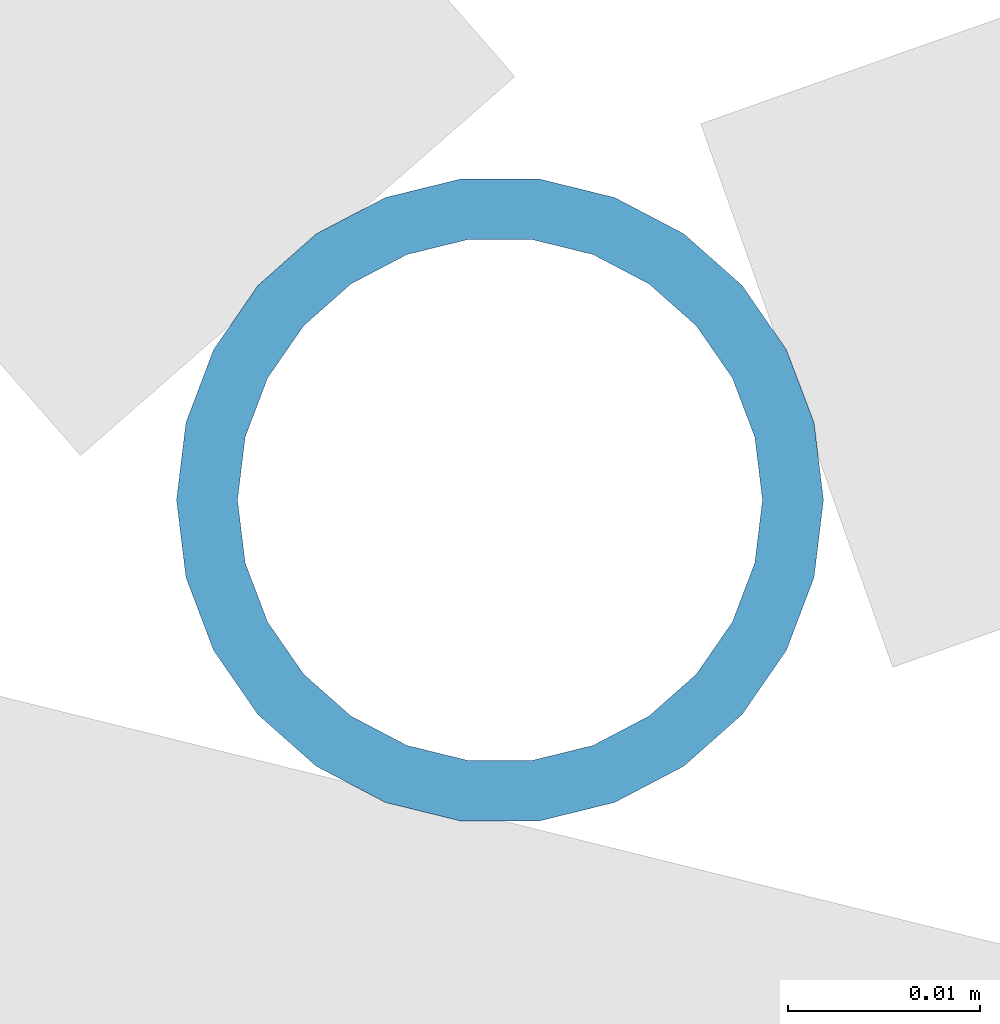
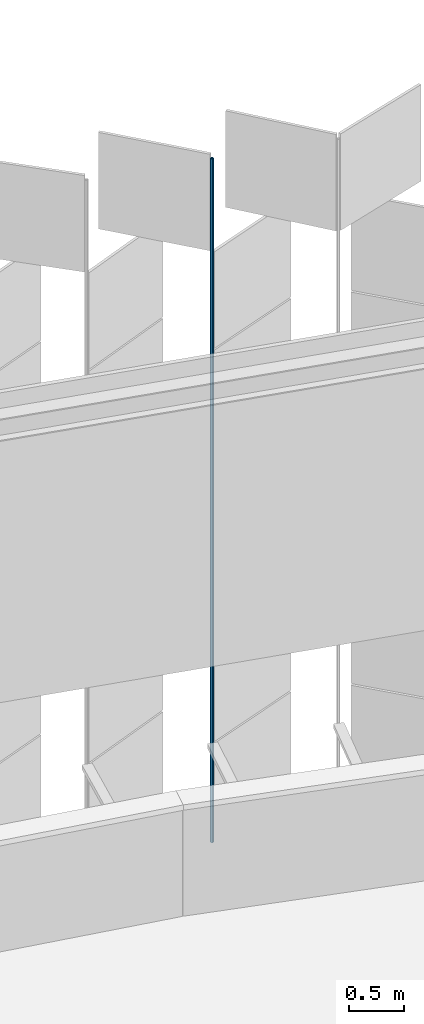
# One storey, part 404 of 483: 1 discrete accessory.
"""IFC4 building model written with IfcOpenShell, lengths in metres."""

from ifc_helpers import new_model, si_unit, direction, frame, origin, origin_2d, place, context, subcontext, project, spatial, hollow_circle, extrude, material, material_profile, profile_set, type_object, element, save


model = new_model("IFC4")

# Units and contexts
model_context = context("Model", 3, precision=1e-05, world=origin(), true_north=direction((0.0, 1.0)))
body_context = subcontext(model_context, "Body", "Model", "MODEL_VIEW")
ifc_project = project(units=[si_unit("LENGTHUNIT", "METRE"), si_unit("AREAUNIT", "SQUARE_METRE"), si_unit("VOLUMEUNIT", "CUBIC_METRE"), si_unit("PLANEANGLEUNIT", "RADIAN"), si_unit("MASSUNIT", "GRAM", prefix="KILO")], contexts=[model_context])

# Site, building, storey
site_placement = place(None, origin())
site = spatial("IfcSite", under=ifc_project, at=site_placement, CompositionType="ELEMENT")
building_placement = place(site_placement, origin())
building = spatial("IfcBuilding", under=site, at=building_placement, Name="Parallax Yard Mobility Hub", CompositionType="ELEMENT")
storey_placement = place(building_placement, frame((0.0, 0.0, 13.199951171875)))
storey = spatial("IfcBuildingStorey", under=building, at=storey_placement, Name="L04", CompositionType="ELEMENT", Elevation=13.199951171875)

# Discrete accessory
ifc_material = material(Name="Steel ASTM A500 Gr C, hot-dip galvanised", Category="steel")
ifc_material_profile = material_profile(ifc_material, hollow_circle(Radius=0.016845703125, WallThickness=0.003173828125, at=origin_2d()), Name="CHS 33.7x3.2")
ifc_profile_set = profile_set([ifc_material_profile], Name="Steel ASTM A500 Gr C, hot-dip galvanised")
discrete_accessory_type = type_object("IfcDiscreteAccessoryType", Name="Hinge post CHS 33.7x3.2", PredefinedType="BRACKET", material=ifc_profile_set)
discrete_accessory_placement = place(storey_placement, frame((185.52587890625, 141.703369140625, 0.0), z_axis=(0.0, 0.0, 1.0), x_axis=(1.0, 0.0, 0.0)))
element("IfcDiscreteAccessory", 1, at=discrete_accessory_placement, inside=storey, type_object=discrete_accessory_type, Name="Hinge post bay 49.4 level L04", PredefinedType="BRACKET", context=body_context, shape_type="SweptSolid", body=[
    extrude(hollow_circle(Radius=0.016845703125, WallThickness=0.003173828125, at=origin_2d()), origin(), (0.0, 0.0, 1.0), 7.650146484375),
])

save(model, "model.ifc")
